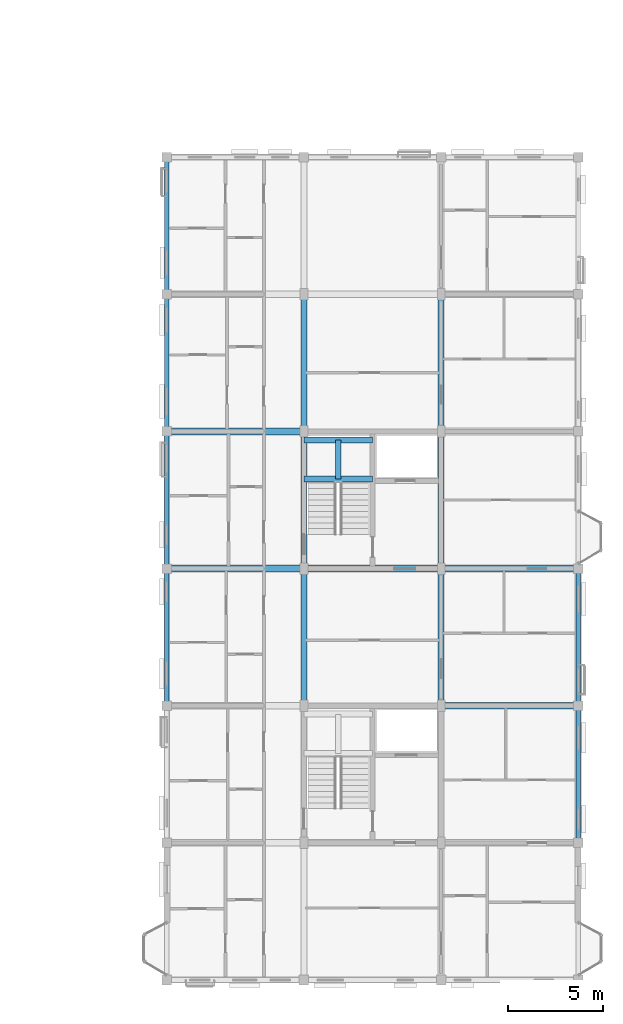
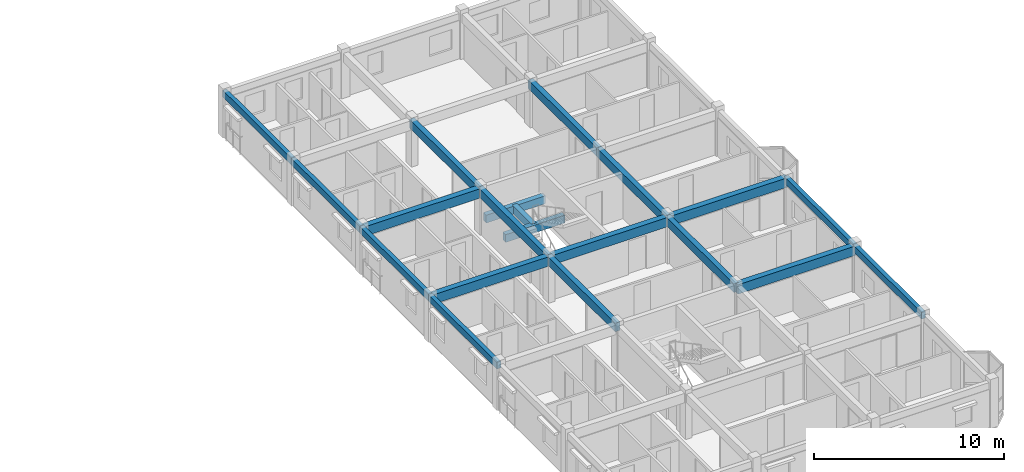
# One storey, part 19 of 64: 20 beams.
"""IFC4 building model written with IfcOpenShell, lengths in metres."""

from ifc_helpers import new_model, si_unit, direction, frame, origin, origin_2d, place, context, subcontext, project, spatial, rectangle, extrude, material, material_profile, profile_set, type_object, element, save


model = new_model("IFC4")

# Units and contexts
model_context = context("Model", 3, precision=1e-05, world=origin(), true_north=direction((0.0, 1.0)))
body_context = subcontext(model_context, "Body", "Model", "MODEL_VIEW")
ifc_project = project(units=[si_unit("LENGTHUNIT", "METRE"), si_unit("AREAUNIT", "SQUARE_METRE"), si_unit("VOLUMEUNIT", "CUBIC_METRE"), si_unit("PLANEANGLEUNIT", "RADIAN"), si_unit("MASSUNIT", "GRAM", prefix="KILO"), si_unit("THERMODYNAMICTEMPERATUREUNIT", "KELVIN"), si_unit("POWERUNIT", "WATT")], contexts=[model_context])

# Site, building, storey
site_placement = place(None, origin())
site = spatial("IfcSite", under=ifc_project, at=site_placement, CompositionType="ELEMENT")
building_placement = place(site_placement, origin())
building = spatial("IfcBuilding", under=site, at=building_placement, Name="Tavuni Mirador Residences", CompositionType="ELEMENT")
storey_placement = place(building_placement, frame((0.0, 0.0, 26.550048828125)))
storey = spatial("IfcBuildingStorey", under=building, at=storey_placement, Name="L08", CompositionType="ELEMENT", Elevation=26.550048828125)

# Beams
ifc_material = material(Name="Precast concrete C40/50", Category="concrete")
ifc_material_profile_1 = material_profile(ifc_material, rectangle(XDim=0.300048828125, YDim=0.5, at=origin_2d()), Name="PC 300x500", Category="concrete")
ifc_profile_set_1 = profile_set([ifc_material_profile_1], Name="Precast concrete C40/50")
beam_type_1 = type_object("IfcBeamType", Name="BT-B500", PredefinedType="BEAM", material=ifc_profile_set_1)
for number, where, z_axis, x_axis, name in (
    (1, (104.39990234375, 112.699951171875, 1.14501953125), (1.0, 0.0, 0.0), (0.0, 1.0, 0.0), "HLB1-C8-L08"),
    (2, (104.39990234375, 114.75, 1.14501953125), (1.0, 0.0, 0.0), (0.0, 1.0, 0.0), "HLB2-C8-L08"),
):
    element("IfcBeam", number, at=place(storey_placement, frame(where, z_axis=z_axis, x_axis=x_axis)), inside=storey, type_object=beam_type_1, Name=name, PredefinedType="BEAM", context=body_context, shape_type="SweptSolid", body=[
        extrude(rectangle(XDim=0.300048828125, YDim=0.5, at=origin_2d()), origin(), (0.0, 0.0, 1.0), 3.60009765625),
    ])
beam_1_placement = place(storey_placement, frame((106.199951171875, 112.699951171875, 1.14501953125), z_axis=(0.0, 1.0, 0.0), x_axis=(-1.0, 0.0, 0.0)))
element("IfcBeam", 3, at=beam_1_placement, inside=storey, type_object=beam_type_1, Name="HLB3-C8-L08", PredefinedType="BEAM", context=body_context, shape_type="SweptSolid", body=[
    extrude(rectangle(XDim=0.300048828125, YDim=0.5, at=origin_2d()), origin(), (0.0, 0.0, 1.0), 2.050048828125),
])
ifc_material_profile_2 = material_profile(ifc_material, rectangle(XDim=0.300048828125, YDim=0.550048828125, at=origin_2d()), Name="PC 300x550", Category="concrete")
ifc_profile_set_2 = profile_set([ifc_material_profile_2], Name="Precast concrete C40/50")
beam_type_2 = type_object("IfcBeamType", Name="BT-B550", PredefinedType="BEAM", material=ifc_profile_set_2)
for number, where, z_axis, x_axis, name in (
    (4, (104.39990234375, 100.800048828125, 2.614990234375), (0.0, 1.0, 0.0), (-1.0, 0.0, 0.0), "BMY-BLK-D-L08-01-02"),
    (5, (104.39990234375, 108.0, 2.614990234375), (0.0, 1.0, 0.0), (-1.0, 0.0, 0.0), "BMY-BLK-D-L08-01-03"),
    (6, (104.39990234375, 115.199951171875, 2.614990234375), (0.0, 1.0, 0.0), (-1.0, 0.0, 0.0), "BMY-BLK-D-L08-01-04"),
    (7, (111.60009765625, 100.800048828125, 2.614990234375), (0.0, 1.0, 0.0), (-1.0, 0.0, 0.0), "BMY-BLK-D-L08-02-02"),
    (8, (111.60009765625, 108.0, 2.614990234375), (0.0, 1.0, 0.0), (-1.0, 0.0, 0.0), "BMY-BLK-D-L08-02-03"),
    (9, (111.60009765625, 115.199951171875, 2.614990234375), (0.0, 1.0, 0.0), (-1.0, 0.0, 0.0), "BMY-BLK-D-L08-02-04"),
):
    element("IfcBeam", number, at=place(storey_placement, frame(where, z_axis=z_axis, x_axis=x_axis)), inside=storey, type_object=beam_type_2, Name=name, PredefinedType="BEAM", context=body_context, shape_type="SweptSolid", body=[
        extrude(rectangle(XDim=0.300048828125, YDim=0.550048828125, at=origin_2d()), origin(), (0.0, 0.0, 1.0), 7.199951171875),
    ])
ifc_material_profile_3 = material_profile(ifc_material, rectangle(XDim=0.35009765625, YDim=0.60009765625, at=origin_2d()), Name="PC 350x600", Category="concrete")
ifc_profile_set_3 = profile_set([ifc_material_profile_3], Name="Precast concrete C40/50")
beam_type_3 = type_object("IfcBeamType", Name="BT-B600", PredefinedType="BEAM", material=ifc_profile_set_3)
for number, where, z_axis, x_axis, name in (
    (10, (111.60009765625, 100.800048828125, 2.58984375), (1.0, 0.0, 0.0), (0.0, 1.0, 0.0), "BMX-BLK-D-L08-02-02"),
    (11, (97.199951171875, 108.0, 2.58984375), (1.0, 0.0, 0.0), (0.0, 1.0, 0.0), "BMX-BLK-D-L08-00-03"),
):
    element("IfcBeam", number, at=place(storey_placement, frame(where, z_axis=z_axis, x_axis=x_axis)), inside=storey, type_object=beam_type_3, Name=name, PredefinedType="BEAM", context=body_context, shape_type="SweptSolid", body=[
        extrude(rectangle(XDim=0.35009765625, YDim=0.60009765625, at=origin_2d()), origin(), (0.0, 0.0, 1.0), 7.199951171875),
    ])
beam_2_placement = place(storey_placement, frame((104.39990234375, 108.0, 2.58984375), z_axis=(1.0, 0.0, 0.0), x_axis=(0.0, 1.0, 0.0)))
element("IfcBeam", 12, at=beam_2_placement, inside=storey, type_object=beam_type_3, Name="BMX-BLK-D-L08-01-03", PredefinedType="BEAM", context=body_context, shape_type="SweptSolid", body=[
    extrude(rectangle(XDim=0.35009765625, YDim=0.60009765625, at=origin_2d()), origin(), (0.0, 0.0, 1.0), 7.2001953125),
])
for number, where, z_axis, x_axis, name in (
    (13, (111.60009765625, 108.0, 2.58984375), (1.0, 0.0, 0.0), (0.0, 1.0, 0.0), "BMX-BLK-D-L08-02-03"),
    (14, (97.199951171875, 115.199951171875, 2.58984375), (1.0, 0.0, 0.0), (0.0, 1.0, 0.0), "BMX-BLK-D-L08-00-04"),
):
    element("IfcBeam", number, at=place(storey_placement, frame(where, z_axis=z_axis, x_axis=x_axis)), inside=storey, type_object=beam_type_3, Name=name, PredefinedType="BEAM", context=body_context, shape_type="SweptSolid", body=[
        extrude(rectangle(XDim=0.35009765625, YDim=0.60009765625, at=origin_2d()), origin(), (0.0, 0.0, 1.0), 7.199951171875),
    ])
ifc_material_profile_4 = material_profile(ifc_material, rectangle(XDim=0.25, YDim=0.419921875, at=origin_2d()), Name="PC 250x420", Category="concrete")
ifc_profile_set_4 = profile_set([ifc_material_profile_4], Name="Precast concrete C40/50")
beam_type_4 = type_object("IfcBeamType", Name="BT-SP420", PredefinedType="SPANDREL", material=ifc_profile_set_4)
for number, where, z_axis, x_axis, name in (
    (15, (97.199951171875, 100.800048828125, 2.679931640625), (0.0, 1.0, 0.0), (-1.0, 0.0, 0.0), "BMY-BLK-D-L08-00-02"),
    (16, (97.199951171875, 108.0, 2.679931640625), (0.0, 1.0, 0.0), (-1.0, 0.0, 0.0), "BMY-BLK-D-L08-00-03"),
    (17, (97.199951171875, 115.199951171875, 2.679931640625), (0.0, 1.0, 0.0), (-1.0, 0.0, 0.0), "BMY-BLK-D-L08-00-04"),
):
    element("IfcBeam", number, at=place(storey_placement, frame(where, z_axis=z_axis, x_axis=x_axis)), inside=storey, type_object=beam_type_4, Name=name, PredefinedType="SPANDREL", context=body_context, shape_type="SweptSolid", body=[
        extrude(rectangle(XDim=0.25, YDim=0.419921875, at=origin_2d()), origin(), (0.0, 0.0, 1.0), 7.199951171875),
    ])
beam_3_placement = place(storey_placement, frame((97.199951171875, 122.39990234375, 2.679931640625), z_axis=(0.0, 1.0, 0.0), x_axis=(-1.0, 0.0, 0.0)))
element("IfcBeam", 18, at=beam_3_placement, inside=storey, type_object=beam_type_4, Name="BMY-BLK-D-L08-00-05", PredefinedType="SPANDREL", context=body_context, shape_type="SweptSolid", body=[
    extrude(rectangle(XDim=0.25, YDim=0.419921875, at=origin_2d()), origin(), (0.0, 0.0, 1.0), 7.2001953125),
])
for number, where, z_axis, x_axis, name in (
    (19, (118.800048828125, 93.60009765625, 2.679931640625), (0.0, 1.0, 0.0), (-1.0, 0.0, 0.0), "BMY-BLK-D-L08-03-01"),
    (20, (118.800048828125, 100.800048828125, 2.679931640625), (0.0, 1.0, 0.0), (-1.0, 0.0, 0.0), "BMY-BLK-D-L08-03-02"),
):
    element("IfcBeam", number, at=place(storey_placement, frame(where, z_axis=z_axis, x_axis=x_axis)), inside=storey, type_object=beam_type_4, Name=name, PredefinedType="SPANDREL", context=body_context, shape_type="SweptSolid", body=[
        extrude(rectangle(XDim=0.25, YDim=0.419921875, at=origin_2d()), origin(), (0.0, 0.0, 1.0), 7.199951171875),
    ])

save(model, "model.ifc")
